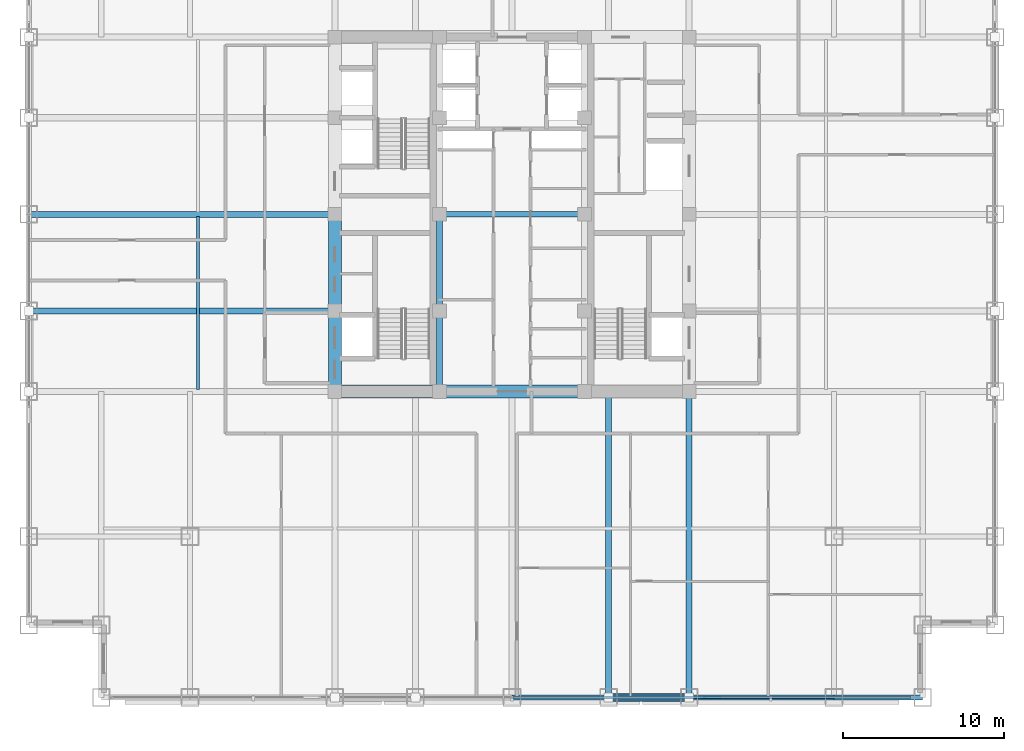
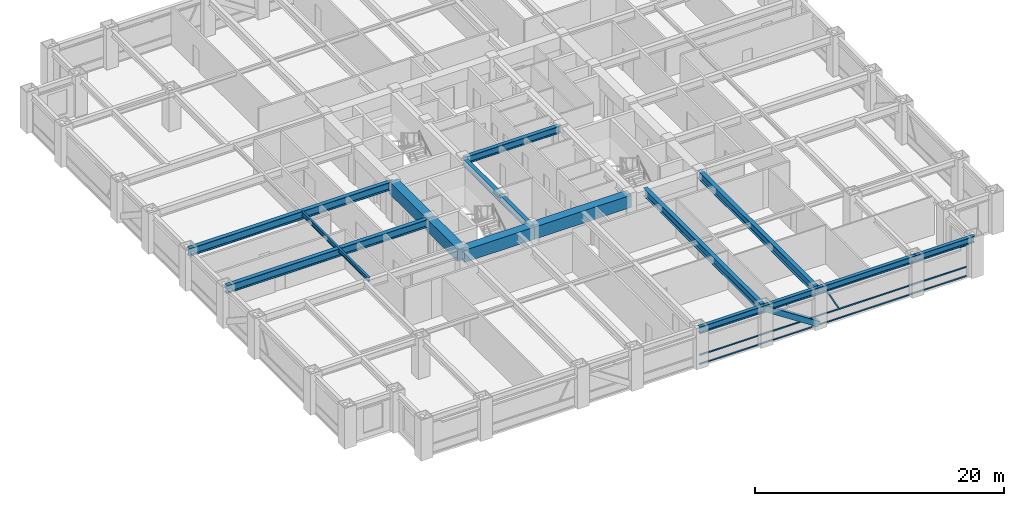
# One storey, part 7 of 28: 16 beams, 5 members, 1 element without a shape of its own.
"""IFC4 building model written with IfcOpenShell, lengths in metres."""

from ifc_helpers import new_model, si_unit, direction, frame, origin, origin_2d, place, context, subcontext, project, spatial, rectangle, hollow_rectangle, i_section, extrude, source, transform, mapped, material, material_profile, profile_set, type_object, element, aggregate, save


model = new_model("IFC4")

# Units and contexts
model_context = context("Model", 3, precision=1e-05, world=origin(), true_north=direction((0.0, 1.0)))
body_context = subcontext(model_context, "Body", "Model", "MODEL_VIEW")
ifc_project = project(units=[si_unit("LENGTHUNIT", "METRE"), si_unit("AREAUNIT", "SQUARE_METRE"), si_unit("VOLUMEUNIT", "CUBIC_METRE"), si_unit("PLANEANGLEUNIT", "RADIAN"), si_unit("MASSUNIT", "GRAM", prefix="KILO")], contexts=[model_context])

# Site, building, storey
site_placement = place(None, origin())
site = spatial("IfcSite", under=ifc_project, at=site_placement, CompositionType="ELEMENT")
building_placement = place(site_placement, origin())
building = spatial("IfcBuilding", under=site, at=building_placement, Name="Khorayat Bourse Tower", CompositionType="ELEMENT")
storey_placement = place(building_placement, frame((0.0, 0.0, 183.10009765625)))
storey = spatial("IfcBuildingStorey", under=building, at=storey_placement, Name="L42", CompositionType="ELEMENT", Elevation=183.10009765625)

# Beams
ifc_material_1 = material(Name="Concrete C72/90", Category="concrete")
ifc_material_profile_1 = material_profile(ifc_material_1, rectangle(XDim=0.800048828125, YDim=1.199951171875, at=origin_2d()), Name="RC 800x1200")
ifc_profile_set_1 = profile_set([ifc_material_profile_1], Name="Concrete C72/90")
beam_type_1 = type_object("IfcBeamType", Name="BM-COUP-1200", PredefinedType="BEAM", material=ifc_profile_set_1)
shared_shape_1 = source(origin(), body_context, "Body", "SweptSolid", [
    extrude(rectangle(XDim=0.800048828125, YDim=1.199951171875, at=origin_2d()), origin(), (0.0, 0.0, 1.0), 5.0),
])
beam_1_placement = place(storey_placement, frame((-11.0, -11.0, 3.179931640625), z_axis=(0.0, 1.0, 0.0), x_axis=(-1.0, 0.0, 0.0)))
element("IfcBeam", 1, at=beam_1_placement, inside=storey, type_object=beam_type_1, Name="L42 BM-COUP-1200 BM-L42-CRX-01", PredefinedType="BEAM", context=body_context, shape_type="MappedRepresentation", body=[
    mapped(shared_shape_1, transform((0.0, 0.0, 0.0), scale=1.0)),
])
shared_shape_2 = source(origin(), body_context, "Body", "SweptSolid", [
    extrude(rectangle(XDim=0.800048828125, YDim=1.199951171875, at=origin_2d()), origin(), (0.0, 0.0, 1.0), 6.0),
])
beam_2_placement = place(storey_placement, frame((-11.0, -6.0, 3.179931640625), z_axis=(0.0, 1.0, 0.0), x_axis=(-1.0, 0.0, 0.0)))
element("IfcBeam", 2, at=beam_2_placement, inside=storey, type_object=beam_type_1, Name="L42 BM-COUP-1200 BM-L42-CRX-02", PredefinedType="BEAM", context=body_context, shape_type="MappedRepresentation", body=[
    mapped(shared_shape_2, transform((0.0, 0.0, 0.0), scale=1.0)),
])
ifc_material_2 = material(Name="Steel ASTM A992 Grade 50", Category="steel")
ifc_material_profile_2 = material_profile(ifc_material_2, i_section(OverallWidth=0.35498046875, OverallDepth=0.695068359375, WebThickness=0.015380859375, FlangeThickness=0.02490234375, FilletRadius=0.01806640625, at=origin_2d()), Name="W690X217")
ifc_profile_set_2 = profile_set([ifc_material_profile_2], Name="Steel ASTM A992 Grade 50")
beam_type_2 = type_object("IfcBeamType", Name="BM-GIRD-690", PredefinedType="BEAM", material=ifc_profile_set_2)
shared_shape_3 = source(origin(), body_context, "Body", "SweptSolid", [
    extrude(i_section(OverallWidth=0.35498046875, OverallDepth=0.695068359375, WebThickness=0.015380859375, FlangeThickness=0.02490234375, FilletRadius=0.01806640625, at=origin_2d()), origin(), (0.0, 0.0, 1.0), 5.0),
])
beam_3_placement = place(storey_placement, frame((-4.5, -11.0, 3.432373046875), z_axis=(0.0, 1.0, 0.0), x_axis=(-1.0, 0.0, 0.0)))
element("IfcBeam", 3, at=beam_3_placement, inside=storey, type_object=beam_type_2, Name="L42 BM-GIRD-690 BM-L42-CRX-05", PredefinedType="BEAM", context=body_context, shape_type="MappedRepresentation", body=[
    mapped(shared_shape_3, transform((0.0, 0.0, 0.0), scale=1.0)),
])
shared_shape_4 = source(origin(), body_context, "Body", "SweptSolid", [
    extrude(i_section(OverallWidth=0.35498046875, OverallDepth=0.695068359375, WebThickness=0.015380859375, FlangeThickness=0.02490234375, FilletRadius=0.01806640625, at=origin_2d()), origin(), (0.0, 0.0, 1.0), 6.0),
])
beam_4_placement = place(storey_placement, frame((-4.5, -6.0, 3.432373046875), z_axis=(0.0, 1.0, 0.0), x_axis=(-1.0, 0.0, 0.0)))
element("IfcBeam", 4, at=beam_4_placement, inside=storey, type_object=beam_type_2, Name="L42 BM-GIRD-690 BM-L42-CRX-06", PredefinedType="BEAM", context=body_context, shape_type="MappedRepresentation", body=[
    mapped(shared_shape_4, transform((0.0, 0.0, 0.0), scale=1.0)),
])
shared_shape_5 = source(origin(), body_context, "Body", "SweptSolid", [
    extrude(rectangle(XDim=0.800048828125, YDim=1.199951171875, at=origin_2d()), origin(), (0.0, 0.0, 1.0), 6.5),
])
beam_5_placement = place(storey_placement, frame((-11.0, -11.0, 3.179931640625), z_axis=(1.0, 0.0, 0.0), x_axis=(0.0, 1.0, 0.0)))
element("IfcBeam", 5, at=beam_5_placement, inside=storey, type_object=beam_type_1, Name="L42 BM-COUP-1200 BM-L42-CRY-17", PredefinedType="BEAM", context=body_context, shape_type="MappedRepresentation", body=[
    mapped(shared_shape_5, transform((0.0, 0.0, 0.0), scale=1.0)),
])
shared_shape_6 = source(origin(), body_context, "Body", "SweptSolid", [
    extrude(rectangle(XDim=0.800048828125, YDim=1.199951171875, at=origin_2d()), origin(), (0.0, 0.0, 1.0), 9.0),
])
beam_6_placement = place(storey_placement, frame((-4.5, -11.0, 3.179931640625), z_axis=(1.0, 0.0, 0.0), x_axis=(0.0, 1.0, 0.0)))
element("IfcBeam", 6, at=beam_6_placement, inside=storey, type_object=beam_type_1, Name="L42 BM-COUP-1200 BM-L42-CRY-18", PredefinedType="BEAM", context=body_context, shape_type="MappedRepresentation", body=[
    mapped(shared_shape_6, transform((0.0, 0.0, 0.0), scale=1.0)),
])
shared_shape_7 = source(origin(), body_context, "Body", "SweptSolid", [
    extrude(i_section(OverallWidth=0.35498046875, OverallDepth=0.695068359375, WebThickness=0.015380859375, FlangeThickness=0.02490234375, FilletRadius=0.01806640625, at=origin_2d()), origin(), (0.0, 0.0, 1.0), 9.0),
])
beam_7_placement = place(storey_placement, frame((-4.5, 0.0, 3.432373046875), z_axis=(1.0, 0.0, 0.0), x_axis=(0.0, 1.0, 0.0)))
element("IfcBeam", 7, at=beam_7_placement, inside=storey, type_object=beam_type_2, Name="L42 BM-GIRD-690 BM-L42-CRY-23", PredefinedType="BEAM", context=body_context, shape_type="MappedRepresentation", body=[
    mapped(shared_shape_7, transform((0.0, 0.0, 0.0), scale=1.0)),
])
ifc_material_profile_3 = material_profile(ifc_material_2, i_section(OverallWidth=0.381103515625, OverallDepth=0.77294921875, WebThickness=0.0166015625, FlangeThickness=0.027587890625, FilletRadius=0.01806640625, at=origin_2d()), Name="W760X257")
ifc_profile_set_3 = profile_set([ifc_material_profile_3], Name="Steel ASTM A992 Grade 50")
beam_type_3 = type_object("IfcBeamType", Name="BM-GIRD-760", PredefinedType="BEAM", material=ifc_profile_set_3)
shared_shape_8 = source(origin(), body_context, "Body", "SweptSolid", [
    extrude(i_section(OverallWidth=0.381103515625, OverallDepth=0.77294921875, WebThickness=0.0166015625, FlangeThickness=0.027587890625, FilletRadius=0.01806640625, at=origin_2d()), origin(), (0.0, 0.0, 1.0), 19.0),
])
for number, where, z_axis, x_axis, name in (
    (8, (6.0, -30.0, 3.393310546875), (0.0, 1.0, 0.0), (-1.0, 0.0, 0.0), "L42 BM-GIRD-760 BM-L42-RADY-071"),
    (9, (11.0, -30.0, 3.393310546875), (0.0, 1.0, 0.0), (-1.0, 0.0, 0.0), "L42 BM-GIRD-760 BM-L42-RADY-073"),
    (10, (-30.0, -6.0, 3.393310546875), (1.0, 0.0, 0.0), (0.0, 1.0, 0.0), "L42 BM-GIRD-760 BM-L42-RADX-077"),
    (11, (-30.0, 0.0, 3.393310546875), (1.0, 0.0, 0.0), (0.0, 1.0, 0.0), "L42 BM-GIRD-760 BM-L42-RADX-079"),
):
    element("IfcBeam", number, at=place(storey_placement, frame(where, z_axis=z_axis, x_axis=x_axis)), inside=storey, type_object=beam_type_3, Name=name, PredefinedType="BEAM", context=body_context, shape_type="MappedRepresentation", body=[
        mapped(shared_shape_8, transform((0.0, 0.0, 0.0), scale=1.0)),
    ])
ifc_material_profile_4 = material_profile(ifc_material_2, i_section(OverallWidth=0.180908203125, OverallDepth=0.4169921875, WebThickness=0.010986328125, FlangeThickness=0.018310546875, FilletRadius=0.011962890625, at=origin_2d()), Name="W410X85")
ifc_profile_set_4 = profile_set([ifc_material_profile_4], Name="Steel ASTM A992 Grade 50")
beam_type_4 = type_object("IfcBeamType", Name="BM-JOIST-410", PredefinedType="JOIST", material=ifc_profile_set_4)
shared_shape_9 = source(origin(), body_context, "Body", "SweptSolid", [
    extrude(i_section(OverallWidth=0.180908203125, OverallDepth=0.4169921875, WebThickness=0.010986328125, FlangeThickness=0.018310546875, FilletRadius=0.011962890625, at=origin_2d()), origin(), (0.0, 0.0, 1.0), 10.740234375),
])
beam_8_placement = place(storey_placement, frame((-19.5, -10.8701171875, 3.5712890625), z_axis=(0.0, 1.0, 0.0), x_axis=(-1.0, 0.0, 0.0)))
element("IfcBeam", 12, at=beam_8_placement, inside=storey, type_object=beam_type_4, Name="L42 BM-JOIST-410 BM-L42-JSTY-102", PredefinedType="JOIST", context=body_context, shape_type="MappedRepresentation", body=[
    mapped(shared_shape_9, transform((0.0, 0.0, 0.0), scale=1.0)),
])
ifc_material_profile_5 = material_profile(ifc_material_2, i_section(OverallWidth=0.324951171875, OverallDepth=0.615966796875, WebThickness=0.013916015625, FlangeThickness=0.021484375, FilletRadius=0.01611328125, at=origin_2d()), Name="W610X174")
ifc_profile_set_5 = profile_set([ifc_material_profile_5], Name="Steel ASTM A992 Grade 50")
beam_type_5 = type_object("IfcBeamType", Name="BM-SPAN-610", PredefinedType="SPANDREL", material=ifc_profile_set_5)
shared_shape_10 = source(origin(), body_context, "Body", "SweptSolid", [
    extrude(i_section(OverallWidth=0.324951171875, OverallDepth=0.615966796875, WebThickness=0.013916015625, FlangeThickness=0.021484375, FilletRadius=0.01611328125, at=origin_2d()), origin(), (0.0, 0.0, 1.0), 5.5),
])
beam_9_placement = place(storey_placement, frame((20.0, -30.0, 3.471923828125), z_axis=(1.0, 0.0, 0.0), x_axis=(0.0, 1.0, 0.0)))
element("IfcBeam", 13, at=beam_9_placement, inside=storey, type_object=beam_type_5, Name="L42 BM-SPAN-610 BM-L42-SPN-031", PredefinedType="SPANDREL", context=body_context, shape_type="MappedRepresentation", body=[
    mapped(shared_shape_10, transform((0.0, 0.0, 0.0), scale=1.0)),
])
shared_shape_11 = source(origin(), body_context, "Body", "SweptSolid", [
    extrude(i_section(OverallWidth=0.324951171875, OverallDepth=0.615966796875, WebThickness=0.013916015625, FlangeThickness=0.021484375, FilletRadius=0.01611328125, at=origin_2d()), origin(), (0.0, 0.0, 1.0), 9.0),
])
beam_10_placement = place(storey_placement, frame((11.0, -30.0, 3.471923828125), z_axis=(1.0, 0.0, 0.0), x_axis=(0.0, 1.0, 0.0)))
element("IfcBeam", 14, at=beam_10_placement, inside=storey, type_object=beam_type_5, Name="L42 BM-SPAN-610 BM-L42-SPN-030", PredefinedType="SPANDREL", context=body_context, shape_type="MappedRepresentation", body=[
    mapped(shared_shape_11, transform((0.0, 0.0, 0.0), scale=1.0)),
])
shared_shape_12 = source(origin(), body_context, "Body", "SweptSolid", [
    extrude(i_section(OverallWidth=0.324951171875, OverallDepth=0.615966796875, WebThickness=0.013916015625, FlangeThickness=0.021484375, FilletRadius=0.01611328125, at=origin_2d()), origin(), (0.0, 0.0, 1.0), 5.0),
])
beam_11_placement = place(storey_placement, frame((6.0, -30.0, 3.471923828125), z_axis=(1.0, 0.0, 0.0), x_axis=(0.0, 1.0, 0.0)))
element("IfcBeam", 15, at=beam_11_placement, inside=storey, type_object=beam_type_5, Name="L42 BM-SPAN-610 BM-L42-SPN-029", PredefinedType="SPANDREL", context=body_context, shape_type="MappedRepresentation", body=[
    mapped(shared_shape_12, transform((0.0, 0.0, 0.0), scale=1.0)),
])
shared_shape_13 = source(origin(), body_context, "Body", "SweptSolid", [
    extrude(i_section(OverallWidth=0.324951171875, OverallDepth=0.615966796875, WebThickness=0.013916015625, FlangeThickness=0.021484375, FilletRadius=0.01611328125, at=origin_2d()), origin(), (0.0, 0.0, 1.0), 6.0),
])
beam_12_placement = place(storey_placement, frame((0.0, -30.0, 3.471923828125), z_axis=(1.0, 0.0, 0.0), x_axis=(0.0, 1.0, 0.0)))
element("IfcBeam", 16, at=beam_12_placement, inside=storey, type_object=beam_type_5, Name="L42 BM-SPAN-610 BM-L42-SPN-028", PredefinedType="SPANDREL", context=body_context, shape_type="MappedRepresentation", body=[
    mapped(shared_shape_13, transform((0.0, 0.0, 0.0), scale=1.0)),
])

# Member
ifc_material_3 = material(Name="Steel EN 10025-4 S460M", Category="steel")
ifc_material_profile_6 = material_profile(ifc_material_3, hollow_rectangle(XDim=0.5, YDim=0.5, WallThickness=0.028076171875, at=origin_2d()), Name="HSS 500x500x28")
ifc_profile_set_6 = profile_set([ifc_material_profile_6], Name="Steel EN 10025-4 S460M")
member_type_1 = type_object("IfcMemberType", Name="MBR-TUBE-500", PredefinedType="BRACE", material=ifc_profile_set_6)
shared_shape_14 = source(origin(), body_context, "Body", "SweptSolid", [
    extrude(hollow_rectangle(XDim=0.5, YDim=0.5, WallThickness=0.028076171875, at=origin_2d()), origin(), (0.0, 0.0, 1.0), 5.979736328125),
])
member_1_placement = place(storey_placement, frame((6.0, -30.0, 3.52978515625), z_axis=(0.836160261256, 0.0, -0.548485202623), x_axis=(0.0, 1.0, 0.0)))
element("IfcMember", 17, at=member_1_placement, inside=storey, type_object=member_type_1, Name="L42 Perimeter Tube Brace 02", PredefinedType="BRACE", context=body_context, shape_type="MappedRepresentation", body=[
    mapped(shared_shape_14, transform((0.0, 0.0, 0.0), scale=1.0)),
])

# Curtain wall, members
ifc_material_4 = material(Name="Aluminium EN AW-6063 T6", Category="aluminium")
curtain_wall_type = type_object("IfcCurtainWallType", Name="CW-SYS-03", PredefinedType="NOTDEFINED", material=ifc_material_4)
curtain_wall_placement = place(storey_placement, origin())
curtain_wall = element("IfcCurtainWall", 18, at=curtain_wall_placement, inside=storey, type_object=curtain_wall_type, Name="L42 Curtain Wall CW-L42-S1", PredefinedType="NOTDEFINED")
ifc_material_profile_7 = material_profile(ifc_material_4, hollow_rectangle(XDim=0.1201171875, YDim=0.1201171875, WallThickness=0.0048828125, at=origin_2d()), Name="ALU 120x120x5")
ifc_profile_set_7 = profile_set([ifc_material_profile_7], Name="Aluminium EN AW-6063 T6")
member_type_2 = type_object("IfcMemberType", Name="CWM-DIAG-120", PredefinedType="MULLION", material=ifc_profile_set_7)
shared_shape_15 = source(origin(), body_context, "Body", "SweptSolid", [
    extrude(hollow_rectangle(XDim=0.1201171875, YDim=0.1201171875, WallThickness=0.0048828125, at=origin_2d()), origin(), (0.0, 0.0, 1.0), 2.079345703125),
])
member_2_placement = place(storey_placement, frame((12.904296875, -30.0, 1.08984375), z_axis=(-0.465760949701, 0.0, 0.884910581773), x_axis=(0.0, -1.0, 0.0)))
member_2 = element("IfcMember", 19, at=member_2_placement, type_object=member_type_2, Name="CW-L42-S1 Faceted Diagonal Mullion 2", PredefinedType="MULLION", context=body_context, shape_type="MappedRepresentation", body=[
    mapped(shared_shape_15, transform((0.0, 0.0, 0.0), scale=1.0)),
])
ifc_material_profile_8 = material_profile(ifc_material_4, hollow_rectangle(XDim=0.1201171875, YDim=0.1201171875, WallThickness=0.0048828125, at=origin_2d()), Name="ALU 120x120x5")
ifc_profile_set_8 = profile_set([ifc_material_profile_8], Name="Aluminium EN AW-6063 T6")
member_type_3 = type_object("IfcMemberType", Name="CWT-HORZ-120", PredefinedType="USERDEFINED", material=ifc_profile_set_8)
shared_shape_16 = source(origin(), body_context, "Body", "SweptSolid", [
    extrude(hollow_rectangle(XDim=0.1201171875, YDim=0.1201171875, WallThickness=0.0048828125, at=origin_2d()), origin(), (0.0, 0.0, 1.0), 24.719970703125),
])
member_3_placement = place(storey_placement, frame((0.06005859375, -30.0, 0.059814453125), z_axis=(1.0, 0.0, 0.0), x_axis=(0.0, 1.0, 0.0)))
member_3 = element("IfcMember", 20, at=member_3_placement, type_object=member_type_3, Name="CW-L42-S1 Horizontal Transom 2-1", ObjectType="TRANSOM", PredefinedType="USERDEFINED", context=body_context, shape_type="MappedRepresentation", body=[
    mapped(shared_shape_16, transform((0.0, 0.0, 0.0), scale=1.0)),
])
member_4_placement = place(storey_placement, frame((0.06005859375, -30.0, 0.949951171875), z_axis=(1.0, 0.0, 0.0), x_axis=(0.0, 1.0, 0.0)))
member_4 = element("IfcMember", 21, at=member_4_placement, type_object=member_type_3, Name="CW-L42-S1 Horizontal Transom 2-2", ObjectType="TRANSOM", PredefinedType="USERDEFINED", context=body_context, shape_type="MappedRepresentation", body=[
    mapped(shared_shape_16, transform((0.0, 0.0, 0.0), scale=1.0)),
])
member_5_placement = place(storey_placement, frame((0.06005859375, -30.0, 3.06982421875), z_axis=(1.0, 0.0, 0.0), x_axis=(0.0, 1.0, 0.0)))
member_5 = element("IfcMember", 22, at=member_5_placement, type_object=member_type_3, Name="CW-L42-S1 Horizontal Transom 2-3", ObjectType="TRANSOM", PredefinedType="USERDEFINED", context=body_context, shape_type="MappedRepresentation", body=[
    mapped(shared_shape_16, transform((0.0, 0.0, 0.0), scale=1.0)),
])
aggregate(curtain_wall, [member_3, member_4, member_5, member_2])

save(model, "model.ifc")
